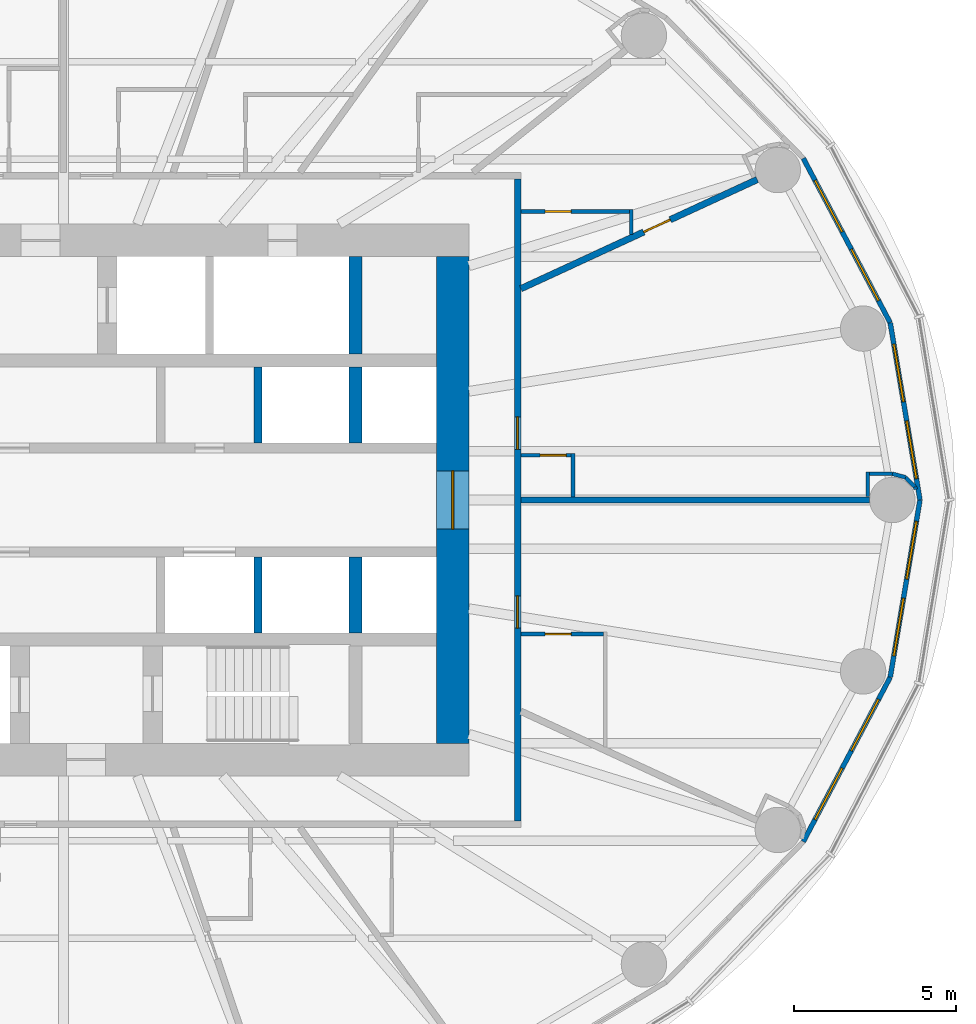
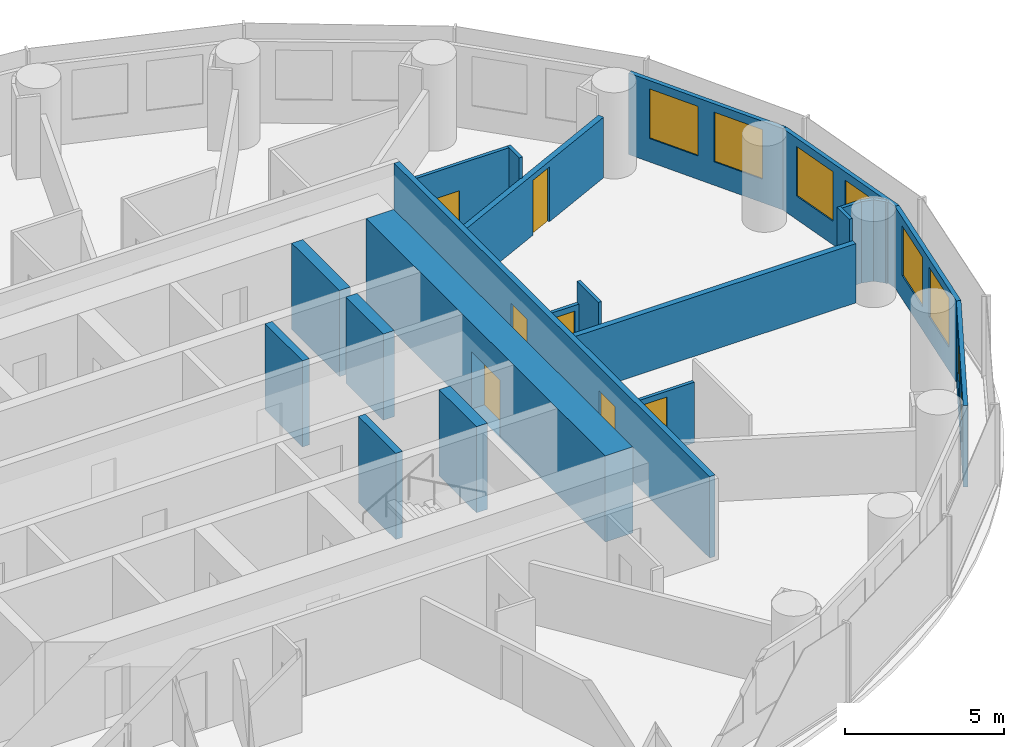
# One storey, part 10 of 13: 23 walls, 8 windows, 7 doors, 15 openings.
"""IFC4 building model written with IfcOpenShell, lengths in metres."""

import ifcopenshell
import ifcopenshell.guid

model = None  # the IFC model being written
_history = None  # IfcOwnerHistory: only IFC2X3 demands one
_inside = {}  # id of a spatial element -> (the spatial element, [elements in it])
_under = {}  # id of a project, library or spatial element -> (it, [spatial elements below it])
_declared = {}  # id of a project -> (the project, [libraries it declares])
_typed = {}  # id of a type object -> (the type object, [elements of that type])
_made_of = {}  # id of a material, layer set ... -> (it, [elements and type objects made of it])


def new_model(schema):
    """Start an empty IFC model of exactly this schema.

    Asked for "IFC4X3", IfcOpenShell would pick the latest addendum, in which some entities
    have other attributes; the version numbers below select the first issue.
    IFC2X3 requires an IfcOwnerHistory on every rooted entity: one is made here for all.
    """
    global model, _history
    if schema == "IFC4X3":
        model = ifcopenshell.file(schema_version=(4, 3, 0, 0))
    else:
        model = ifcopenshell.file(schema=schema)
    _inside.clear()
    _under.clear()
    _declared.clear()
    _typed.clear()
    _made_of.clear()
    _history = None
    if model.schema == "IFC2X3":
        org = make("IfcOrganization", Name="unknown")
        user = make(
            "IfcPersonAndOrganization",
            ThePerson=make("IfcPerson", FamilyName="unknown"),
            TheOrganization=org,
        )
        app = make(
            "IfcApplication",
            ApplicationDeveloper=org,
            Version="unknown",
            ApplicationFullName="unknown",
            ApplicationIdentifier="unknown",
        )
        _history = make(
            "IfcOwnerHistory",
            OwningUser=user,
            OwningApplication=app,
            ChangeAction="ADDED",
            CreationDate=0,
        )
    return model


def make(cls, **values):
    """One entity of the class cls with the attributes given. An attribute that is None is left unset."""
    return model.create_entity(
        cls, **{name: value for name, value in values.items() if value is not None}
    )


def rooted(cls, **values):
    """An entity with a GlobalId (a new one), such as an element, a storey or a relation."""
    return make(cls, GlobalId=ifcopenshell.guid.new(), OwnerHistory=_history, **values)


def si_unit(unit_type, name, prefix=None):
    """IfcSIUnit, for example si_unit("LENGTHUNIT", "METRE", prefix="MILLI")."""
    return make("IfcSIUnit", UnitType=unit_type, Prefix=prefix, Name=name)


def assignment(units):
    """IfcUnitAssignment: the units of a project."""
    return None if units is None else make("IfcUnitAssignment", Units=units)


def point(xyz):
    """IfcCartesianPoint."""
    return None if xyz is None else make("IfcCartesianPoint", Coordinates=xyz)


def direction(xyz):
    """IfcDirection."""
    return None if xyz is None else make("IfcDirection", DirectionRatios=xyz)


def frame(location, z_axis=None, x_axis=None):
    """IfcAxis2Placement3D, a coordinate frame: its origin and axes. An axis left out is left unset."""
    return make(
        "IfcAxis2Placement3D",
        Location=point(location),
        Axis=direction(z_axis),
        RefDirection=direction(x_axis),
    )


def frame_2d(location, x_axis=None):
    """IfcAxis2Placement2D, a coordinate frame in the plane: its origin and x axis."""
    return make(
        "IfcAxis2Placement2D", Location=point(location), RefDirection=direction(x_axis)
    )


def origin():
    """The frame at (0, 0, 0) with its axes left unset."""
    return frame((0.0, 0.0, 0.0))


def place(relative_to, where):
    """IfcLocalPlacement: puts the frame where relative to a parent placement (None: the world)."""
    return make(
        "IfcLocalPlacement", PlacementRelTo=relative_to, RelativePlacement=where
    )


def context(
    kind, dimensions, precision=None, world=None, true_north=None, identifier=None
):
    """IfcGeometricRepresentationContext, for example the 3D "Model" context."""
    return make(
        "IfcGeometricRepresentationContext",
        ContextIdentifier=identifier,
        ContextType=kind,
        CoordinateSpaceDimension=dimensions,
        Precision=precision,
        WorldCoordinateSystem=world,
        TrueNorth=true_north,
    )


def subcontext(parent, identifier, kind, view, scale=None):
    """IfcGeometricRepresentationSubContext, for example "Body" below "Model"."""
    return make(
        "IfcGeometricRepresentationSubContext",
        ContextIdentifier=identifier,
        ContextType=kind,
        ParentContext=parent,
        TargetScale=scale,
        TargetView=view,
    )


def project(units=None, contexts=None):
    """IfcProject with its units and contexts."""
    return rooted(
        "IfcProject",
        Name="project",
        RepresentationContexts=contexts,
        UnitsInContext=assignment(units),
    )


def spatial(cls, under=None, at=None, **own):
    """A site, building, storey or space (cls), placed at a placement, below another one or the project."""
    s = rooted(cls, ObjectPlacement=at, **own)
    if under is not None:
        _under.setdefault(under.id(), (under, []))[1].append(s)
    return s


def profile(cls, at=None, kind="AREA", **sizes):
    """A parametric profile (cls). Its sizes go by their IFC names, for example OverallWidth=200.0."""
    return make(cls, ProfileType=kind, Position=at, **sizes)


def rectangle(**sizes):
    """IfcRectangleProfileDef."""
    return profile("IfcRectangleProfileDef", **sizes)


def extrude(swept, where, along, depth):
    """IfcExtrudedAreaSolid: the profile swept, set in the frame where, extruded along a direction by depth."""
    return make(
        "IfcExtrudedAreaSolid",
        SweptArea=swept,
        Position=where,
        ExtrudedDirection=direction(along),
        Depth=depth,
    )


def shape(context_of_items, identifier, shape_type, items):
    """IfcShapeRepresentation: the items that make up one representation, for example the "Body"."""
    return make(
        "IfcShapeRepresentation",
        ContextOfItems=context_of_items,
        RepresentationIdentifier=identifier,
        RepresentationType=shape_type,
        Items=items,
    )


def material(Name=None, Category=None):
    """IfcMaterial."""
    return make("IfcMaterial", Name=Name, Category=Category)


def layer(
    of_material, thickness, ventilated=None, Name=None, Category=None, Priority=None
):
    """IfcMaterialLayer: one layer of a wall or slab, of a material (None: an air gap)."""
    return make(
        "IfcMaterialLayer",
        Material=of_material,
        LayerThickness=thickness,
        IsVentilated=ventilated,
        Name=Name,
        Category=Category,
        Priority=Priority,
    )


def layer_set(layers, Name=None):
    """IfcMaterialLayerSet."""
    return make("IfcMaterialLayerSet", MaterialLayers=layers, LayerSetName=Name)


def made_of(thing, what):
    """Note that an element or type object is made of a material, layer set ...; save() writes the relation."""
    if what is not None:
        _made_of.setdefault(what.id(), (what, []))[1].append(thing)
    return thing


def type_object(cls, material=None, **own):
    """A type object (cls), such as IfcWallType, which elements share."""
    return made_of(rooted(cls, **own), material)


def element(
    cls,
    number,
    at=None,
    inside=None,
    cuts=None,
    type_object=None,
    material=None,
    context=None,
    identifier="Body",
    shape_type=None,
    held_by="IfcProductDefinitionShape",
    body=None,
    shapes=None,
    **own,
):
    """One element of the class cls, such as IfcWall. Its Tag is "e" and its number.

    at: its placement. inside: the storey or other place that contains it. cuts: it is an
    opening in that element (IfcRelVoidsElement). A single representation is given by context,
    identifier, shape_type and body (its items); several are given by shapes. held_by: the class
    of the entity that holds the representations. save() writes the other relations.
    """
    e = rooted(cls, Tag="e%d" % number, ObjectPlacement=at, **own)
    if body is not None:
        shapes = [shape(context, identifier, shape_type, body)]
    if shapes is not None:
        e.Representation = make(held_by, Representations=shapes)
    if inside is not None:
        _inside.setdefault(inside.id(), (inside, []))[1].append(e)
    if cuts is not None:
        rooted(
            "IfcRelVoidsElement", RelatingBuildingElement=cuts, RelatedOpeningElement=e
        )
    if type_object is not None:
        _typed.setdefault(type_object.id(), (type_object, []))[1].append(e)
    return made_of(e, material)


def fill(opening, filler):
    """IfcRelFillsElement: the door or window that sits in an opening."""
    return rooted(
        "IfcRelFillsElement",
        RelatingOpeningElement=opening,
        RelatedBuildingElement=filler,
    )


def aggregate(whole, parts):
    """IfcRelAggregates: a whole, such as a stair, and the parts it consists of."""
    return rooted("IfcRelAggregates", RelatingObject=whole, RelatedObjects=parts)


def save(model, path):
    """Write the relations noted so far, then the file.

    IfcRelAggregates (storeys below a building ...), IfcRelContainedInSpatialStructure (elements
    in a storey), IfcRelDefinesByType, IfcRelAssociatesMaterial and IfcRelDeclares: one each for
    every whole, place, type object, material and project.
    """
    for whole, parts in _under.values():
        aggregate(whole, parts)
    for where, things in _inside.values():
        rooted(
            "IfcRelContainedInSpatialStructure",
            RelatedElements=things,
            RelatingStructure=where,
        )
    for kind, things in _typed.values():
        rooted("IfcRelDefinesByType", RelatedObjects=things, RelatingType=kind)
    for what, things in _made_of.values():
        rooted("IfcRelAssociatesMaterial", RelatedObjects=things, RelatingMaterial=what)
    for by, libraries in _declared.values():
        rooted("IfcRelDeclares", RelatingContext=by, RelatedDefinitions=libraries)
    model.write(path)


model = new_model("IFC4")

# Units and contexts
model_context = context("Model", 3, precision=1e-05, world=origin(), true_north=direction((0.0, 1.0)))
body_context = subcontext(model_context, "Body", "Model", "MODEL_VIEW")
ifc_project = project(units=[si_unit("LENGTHUNIT", "METRE"), si_unit("AREAUNIT", "SQUARE_METRE"), si_unit("VOLUMEUNIT", "CUBIC_METRE"), si_unit("PLANEANGLEUNIT", "RADIAN"), si_unit("MASSUNIT", "GRAM", prefix="KILO")], contexts=[model_context])

# Site, building, storey
site_placement = place(None, origin())
site = spatial("IfcSite", under=ifc_project, at=site_placement, CompositionType="ELEMENT")
building_placement = place(site_placement, origin())
building = spatial("IfcBuilding", under=site, at=building_placement, Name="Hankou Lantern Tower", CompositionType="ELEMENT")
storey_placement = place(building_placement, frame((0.0, 0.0, 83.699951171875)))
storey = spatial("IfcBuildingStorey", under=building, at=storey_placement, Name="L21", CompositionType="ELEMENT", Elevation=83.699951171875)

# Wall, opening, door
ifc_material_1 = material(Name="Concrete C60", Category="concrete")
ifc_layer_1 = layer(ifc_material_1, 1.0)
ifc_layer_set_1 = layer_set([ifc_layer_1], Name="Concrete C60")
wall_type_1 = type_object("IfcWallType", Name="CW1 CORE WALL 1000", PredefinedType="SHEAR", material=ifc_layer_set_1)
wall_1_placement = place(storey_placement, frame((12.0, -7.5, 0.0), z_axis=(0.0, 0.0, 1.0), x_axis=(0.0, 1.0, 0.0)))
wall_1 = element("IfcWall", 1, at=wall_1_placement, inside=storey, type_object=wall_type_1, Name="Core wall east L21", PredefinedType="SHEAR", context=body_context, shape_type="SweptSolid", body=[
    extrude(rectangle(XDim=15.0, YDim=1.0, at=frame_2d((7.5, 0.0))), origin(), (0.0, 0.0, 1.0), 3.300048828125),
])
opening_1_placement = place(wall_1_placement, frame((6.60009765625, 0.0, 0.0)))
opening_1 = element("IfcOpeningElement", 2, at=opening_1_placement, cuts=wall_1, Name="Opening D6", PredefinedType="OPENING", context=body_context, shape_type="SweptSolid", body=[
    extrude(rectangle(XDim=1.800048828125, YDim=2.199951171875, at=frame_2d((0.89990234375, 1.10009765625))), frame((0.0, 0.510009765625, 0.0), z_axis=(0.0, -1.0, 0.0), x_axis=(1.0, 0.0, 0.0)), (0.0, 0.0, 1.0), 1.02001953125),
])
ifc_material_2 = material(Name="Steel door leaf", Category="steel")
door_type_1 = type_object("IfcDoorType", Name="D6 LIFT LOBBY DOOR 1800X2200", OperationType="DOUBLE_DOOR_DOUBLE_SWING", PredefinedType="DOOR", material=ifc_material_2)
door_1_placement = place(opening_1_placement, origin())
door_1 = element("IfcDoor", 3, at=door_1_placement, inside=storey, type_object=door_type_1, Name="Lift lobby east door", OperationType="DOUBLE_DOOR_DOUBLE_SWING", OverallHeight=2.199951171875, OverallWidth=1.800048828125, PredefinedType="DOOR", context=body_context, shape_type="SweptSolid", body=[
    extrude(rectangle(XDim=1.800048828125, YDim=2.199951171875, at=frame_2d((0.89990234375, 1.10009765625))), frame((0.0, 0.02490234375, 0.0), z_axis=(0.0, -1.0, 0.0), x_axis=(1.0, 0.0, 0.0)), (0.0, 0.0, 1.0), 0.050048828125),
])
fill(opening_1, door_1)

# Walls
ifc_material_3 = material(Name="Concrete C60", Category="concrete")
ifc_layer_2 = layer(ifc_material_3, 0.39990234375)
ifc_layer_set_2 = layer_set([ifc_layer_2], Name="Concrete C60")
wall_type_2 = type_object("IfcWallType", Name="CW4 CORE CROSS WALL 400", PredefinedType="SHEAR", material=ifc_layer_set_2)
wall_2_placement = place(storey_placement, frame((9.0, 4.5, 0.0), z_axis=(0.0, 0.0, 1.0), x_axis=(0.0, 1.0, 0.0)))
element("IfcWall", 4, at=wall_2_placement, inside=storey, type_object=wall_type_2, Name="Core strip wall L21", PredefinedType="SHEAR", context=body_context, shape_type="SweptSolid", body=[
    extrude(rectangle(XDim=3.0, YDim=0.39990234375, at=frame_2d((1.5, 0.0))), origin(), (0.0, 0.0, 1.0), 3.300048828125),
])
for number, where, z_axis, x_axis, name in (
    (5, (9.0, 1.75, 0.0), (0.0, 0.0, 1.0), (0.0, 1.0, 0.0), "Core strip wall L21"),
    (6, (9.0, -4.10009765625, 0.0), (0.0, 0.0, 1.0), (0.0, 1.0, 0.0), "Core strip wall L21"),
):
    element("IfcWall", number, at=place(storey_placement, frame(where, z_axis=z_axis, x_axis=x_axis)), inside=storey, type_object=wall_type_2, Name=name, PredefinedType="SHEAR", context=body_context, shape_type="SweptSolid", body=[
        extrude(rectangle(XDim=2.35009765625, YDim=0.39990234375, at=frame_2d((1.175048828125, 0.0))), origin(), (0.0, 0.0, 1.0), 3.300048828125),
    ])

# Wall, openings, windows
ifc_material_4 = material(Name="Aluminium spandrel panel on steel studs", Category="steel")
ifc_layer_3 = layer(ifc_material_4, 0.14990234375)
ifc_layer_set_3 = layer_set([ifc_layer_3], Name="Aluminium spandrel panel on steel studs")
wall_type_3 = type_object("IfcWallType", Name="EW1 INNER SKIN WALL 150", PredefinedType="ELEMENTEDWALL", material=ifc_layer_set_3)
wall_3_placement = place(storey_placement, frame((26.39990234375, 0.0, 0.0), z_axis=(0.0, 0.0, 1.0), x_axis=(-0.165642551694, 0.986185857264, 0.0)))
wall_3 = element("IfcWall", 7, at=wall_3_placement, inside=storey, type_object=wall_type_3, Name="Inner skin R01-R02 L21", PredefinedType="ELEMENTEDWALL", context=body_context, shape_type="SweptSolid", body=[
    extrude(rectangle(XDim=5.538818359375, YDim=0.14990234375, at=frame_2d((2.76953125, 0.0))), origin(), (0.0, 0.0, 1.0), 3.1201171875),
])
opening_2_placement = place(wall_3_placement, frame((0.66943359375, 0.0, 0.89990234375)))
opening_2 = element("IfcOpeningElement", 8, at=opening_2_placement, cuts=wall_3, Name="Opening W1", PredefinedType="OPENING", context=body_context, shape_type="SweptSolid", body=[
    extrude(rectangle(XDim=1.800048828125, YDim=1.89990234375, at=frame_2d((0.89990234375, 0.949951171875))), frame((0.0, 0.0849609375, 0.0), z_axis=(0.0, -1.0, 0.0), x_axis=(1.0, 0.0, 0.0)), (0.0, 0.0, 1.0), 0.169921875),
])
opening_3_placement = place(wall_3_placement, frame((3.069580078125, 0.0, 0.89990234375)))
opening_3 = element("IfcOpeningElement", 9, at=opening_3_placement, cuts=wall_3, Name="Opening W1", PredefinedType="OPENING", context=body_context, shape_type="SweptSolid", body=[
    extrude(rectangle(XDim=1.800048828125, YDim=1.89990234375, at=frame_2d((0.89990234375, 0.949951171875))), frame((0.0, 0.0849609375, 0.0), z_axis=(0.0, -1.0, 0.0), x_axis=(1.0, 0.0, 0.0)), (0.0, 0.0, 1.0), 0.169921875),
])
ifc_material_5 = material(Name="Aluminium framed double glazed window", Category="aluminium")
window_type = type_object("IfcWindowType", Name="W1 GUEST ROOM WINDOW 1800X1900", PartitioningType="DOUBLE_PANEL_VERTICAL", PredefinedType="WINDOW", material=ifc_material_5)
window_1_placement = place(opening_2_placement, origin())
window_1 = element("IfcWindow", 10, at=window_1_placement, inside=storey, type_object=window_type, Name="Window R01.1 L21", OverallHeight=1.89990234375, OverallWidth=1.800048828125, PartitioningType="SINGLE_PANEL", PredefinedType="WINDOW", context=body_context, shape_type="SweptSolid", body=[
    extrude(rectangle(XDim=1.800048828125, YDim=1.89990234375, at=frame_2d((0.89990234375, 0.949951171875))), frame((0.0, 0.030029296875, 0.0), z_axis=(0.0, -1.0, 0.0), x_axis=(1.0, 0.0, 0.0)), (0.0, 0.0, 1.0), 0.06005859375),
])
fill(opening_2, window_1)
window_2_placement = place(opening_3_placement, origin())
window_2 = element("IfcWindow", 11, at=window_2_placement, inside=storey, type_object=window_type, Name="Window R01.2 L21", OverallHeight=1.89990234375, OverallWidth=1.800048828125, PartitioningType="SINGLE_PANEL", PredefinedType="WINDOW", context=body_context, shape_type="SweptSolid", body=[
    extrude(rectangle(XDim=1.800048828125, YDim=1.89990234375, at=frame_2d((0.89990234375, 0.949951171875))), frame((0.0, 0.030029296875, 0.0), z_axis=(0.0, -1.0, 0.0), x_axis=(1.0, 0.0, 0.0)), (0.0, 0.0, 1.0), 0.06005859375),
])
fill(opening_3, window_2)

wall_4_placement = place(storey_placement, frame((25.482421875, 5.46240234375, 0.0), z_axis=(0.0, 0.0, 1.0), x_axis=(-0.467296867008, 0.884100468321, 0.0)))
wall_4 = element("IfcWall", 12, at=wall_4_placement, inside=storey, type_object=wall_type_3, Name="Inner skin R02-R03 L21", PredefinedType="ELEMENTEDWALL", context=body_context, shape_type="SweptSolid", body=[
    extrude(rectangle(XDim=5.734375, YDim=0.14990234375, at=frame_2d((2.8671875, 0.0))), origin(), (0.0, 0.0, 1.0), 3.1201171875),
])
opening_4_placement = place(wall_4_placement, frame((0.76708984375, 0.0, 0.89990234375)))
opening_4 = element("IfcOpeningElement", 13, at=opening_4_placement, cuts=wall_4, Name="Opening W1", PredefinedType="OPENING", context=body_context, shape_type="SweptSolid", body=[
    extrude(rectangle(XDim=1.800048828125, YDim=1.89990234375, at=frame_2d((0.89990234375, 0.949951171875))), frame((0.0, 0.0849609375, 0.0), z_axis=(0.0, -1.0, 0.0), x_axis=(1.0, 0.0, 0.0)), (0.0, 0.0, 1.0), 0.169921875),
])
opening_5_placement = place(wall_4_placement, frame((3.167236328125, 0.0, 0.89990234375)))
opening_5 = element("IfcOpeningElement", 14, at=opening_5_placement, cuts=wall_4, Name="Opening W1", PredefinedType="OPENING", context=body_context, shape_type="SweptSolid", body=[
    extrude(rectangle(XDim=1.800048828125, YDim=1.89990234375, at=frame_2d((0.89990234375, 0.949951171875))), frame((0.0, 0.0849609375, 0.0), z_axis=(0.0, -1.0, 0.0), x_axis=(1.0, 0.0, 0.0)), (0.0, 0.0, 1.0), 0.169921875),
])
window_3_placement = place(opening_4_placement, origin())
window_3 = element("IfcWindow", 15, at=window_3_placement, inside=storey, type_object=window_type, Name="Window R02.1 L21", OverallHeight=1.89990234375, OverallWidth=1.800048828125, PartitioningType="SINGLE_PANEL", PredefinedType="WINDOW", context=body_context, shape_type="SweptSolid", body=[
    extrude(rectangle(XDim=1.800048828125, YDim=1.89990234375, at=frame_2d((0.89990234375, 0.949951171875))), frame((0.0, 0.030029296875, 0.0), z_axis=(0.0, -1.0, 0.0), x_axis=(1.0, 0.0, 0.0)), (0.0, 0.0, 1.0), 0.06005859375),
])
fill(opening_4, window_3)
window_4_placement = place(opening_5_placement, origin())
window_4 = element("IfcWindow", 16, at=window_4_placement, inside=storey, type_object=window_type, Name="Window R02.2 L21", OverallHeight=1.89990234375, OverallWidth=1.800048828125, PartitioningType="SINGLE_PANEL", PredefinedType="WINDOW", context=body_context, shape_type="SweptSolid", body=[
    extrude(rectangle(XDim=1.800048828125, YDim=1.89990234375, at=frame_2d((0.89990234375, 0.949951171875))), frame((0.0, 0.030029296875, 0.0), z_axis=(0.0, -1.0, 0.0), x_axis=(1.0, 0.0, 0.0)), (0.0, 0.0, 1.0), 0.06005859375),
])
fill(opening_5, window_4)

wall_5_placement = place(storey_placement, frame((22.802734375, -10.5322265625, 0.0), z_axis=(0.0, 0.0, 1.0), x_axis=(0.467296867008, 0.884100468321, 0.0)))
wall_5 = element("IfcWall", 17, at=wall_5_placement, inside=storey, type_object=wall_type_3, Name="Inner skin R23-R24 L21", PredefinedType="ELEMENTEDWALL", context=body_context, shape_type="SweptSolid", body=[
    extrude(rectangle(XDim=5.734375, YDim=0.14990234375, at=frame_2d((2.8671875, 0.0))), origin(), (0.0, 0.0, 1.0), 3.1201171875),
])
opening_6_placement = place(wall_5_placement, frame((0.76708984375, 0.0, 0.89990234375)))
opening_6 = element("IfcOpeningElement", 18, at=opening_6_placement, cuts=wall_5, Name="Opening W1", PredefinedType="OPENING", context=body_context, shape_type="SweptSolid", body=[
    extrude(rectangle(XDim=1.800048828125, YDim=1.89990234375, at=frame_2d((0.89990234375, 0.949951171875))), frame((0.0, 0.0849609375, 0.0), z_axis=(0.0, -1.0, 0.0), x_axis=(1.0, 0.0, 0.0)), (0.0, 0.0, 1.0), 0.169921875),
])
opening_7_placement = place(wall_5_placement, frame((3.167236328125, 0.0, 0.89990234375)))
opening_7 = element("IfcOpeningElement", 19, at=opening_7_placement, cuts=wall_5, Name="Opening W1", PredefinedType="OPENING", context=body_context, shape_type="SweptSolid", body=[
    extrude(rectangle(XDim=1.800048828125, YDim=1.89990234375, at=frame_2d((0.89990234375, 0.949951171875))), frame((0.0, 0.0849609375, 0.0), z_axis=(0.0, -1.0, 0.0), x_axis=(1.0, 0.0, 0.0)), (0.0, 0.0, 1.0), 0.169921875),
])
window_5_placement = place(opening_6_placement, origin())
window_5 = element("IfcWindow", 20, at=window_5_placement, inside=storey, type_object=window_type, Name="Window R23.1 L21", OverallHeight=1.89990234375, OverallWidth=1.800048828125, PartitioningType="SINGLE_PANEL", PredefinedType="WINDOW", context=body_context, shape_type="SweptSolid", body=[
    extrude(rectangle(XDim=1.800048828125, YDim=1.89990234375, at=frame_2d((0.89990234375, 0.949951171875))), frame((0.0, 0.030029296875, 0.0), z_axis=(0.0, -1.0, 0.0), x_axis=(1.0, 0.0, 0.0)), (0.0, 0.0, 1.0), 0.06005859375),
])
fill(opening_6, window_5)
window_6_placement = place(opening_7_placement, origin())
window_6 = element("IfcWindow", 21, at=window_6_placement, inside=storey, type_object=window_type, Name="Window R23.2 L21", OverallHeight=1.89990234375, OverallWidth=1.800048828125, PartitioningType="SINGLE_PANEL", PredefinedType="WINDOW", context=body_context, shape_type="SweptSolid", body=[
    extrude(rectangle(XDim=1.800048828125, YDim=1.89990234375, at=frame_2d((0.89990234375, 0.949951171875))), frame((0.0, 0.030029296875, 0.0), z_axis=(0.0, -1.0, 0.0), x_axis=(1.0, 0.0, 0.0)), (0.0, 0.0, 1.0), 0.06005859375),
])
fill(opening_7, window_6)

wall_6_placement = place(storey_placement, frame((25.482421875, -5.46240234375, 0.0), z_axis=(0.0, 0.0, 1.0), x_axis=(0.165642551694, 0.986185857264, 0.0)))
wall_6 = element("IfcWall", 22, at=wall_6_placement, inside=storey, type_object=wall_type_3, Name="Inner skin R24-R01 L21", PredefinedType="ELEMENTEDWALL", context=body_context, shape_type="SweptSolid", body=[
    extrude(rectangle(XDim=5.538818359375, YDim=0.14990234375, at=frame_2d((2.76953125, 0.0))), origin(), (0.0, 0.0, 1.0), 3.1201171875),
])
opening_8_placement = place(wall_6_placement, frame((0.66943359375, 0.0, 0.89990234375)))
opening_8 = element("IfcOpeningElement", 23, at=opening_8_placement, cuts=wall_6, Name="Opening W1", PredefinedType="OPENING", context=body_context, shape_type="SweptSolid", body=[
    extrude(rectangle(XDim=1.800048828125, YDim=1.89990234375, at=frame_2d((0.89990234375, 0.949951171875))), frame((0.0, 0.0849609375, 0.0), z_axis=(0.0, -1.0, 0.0), x_axis=(1.0, 0.0, 0.0)), (0.0, 0.0, 1.0), 0.169921875),
])
opening_9_placement = place(wall_6_placement, frame((3.069580078125, 0.0, 0.89990234375)))
opening_9 = element("IfcOpeningElement", 24, at=opening_9_placement, cuts=wall_6, Name="Opening W1", PredefinedType="OPENING", context=body_context, shape_type="SweptSolid", body=[
    extrude(rectangle(XDim=1.800048828125, YDim=1.89990234375, at=frame_2d((0.89990234375, 0.949951171875))), frame((0.0, 0.0849609375, 0.0), z_axis=(0.0, -1.0, 0.0), x_axis=(1.0, 0.0, 0.0)), (0.0, 0.0, 1.0), 0.169921875),
])
window_7_placement = place(opening_8_placement, origin())
window_7 = element("IfcWindow", 25, at=window_7_placement, inside=storey, type_object=window_type, Name="Window R24.1 L21", OverallHeight=1.89990234375, OverallWidth=1.800048828125, PartitioningType="SINGLE_PANEL", PredefinedType="WINDOW", context=body_context, shape_type="SweptSolid", body=[
    extrude(rectangle(XDim=1.800048828125, YDim=1.89990234375, at=frame_2d((0.89990234375, 0.949951171875))), frame((0.0, 0.030029296875, 0.0), z_axis=(0.0, -1.0, 0.0), x_axis=(1.0, 0.0, 0.0)), (0.0, 0.0, 1.0), 0.06005859375),
])
fill(opening_8, window_7)
window_8_placement = place(opening_9_placement, origin())
window_8 = element("IfcWindow", 26, at=window_8_placement, inside=storey, type_object=window_type, Name="Window R24.2 L21", OverallHeight=1.89990234375, OverallWidth=1.800048828125, PartitioningType="SINGLE_PANEL", PredefinedType="WINDOW", context=body_context, shape_type="SweptSolid", body=[
    extrude(rectangle(XDim=1.800048828125, YDim=1.89990234375, at=frame_2d((0.89990234375, 0.949951171875))), frame((0.0, 0.030029296875, 0.0), z_axis=(0.0, -1.0, 0.0), x_axis=(1.0, 0.0, 0.0)), (0.0, 0.0, 1.0), 0.06005859375),
])
fill(opening_9, window_8)

# Wall
ifc_material_6 = material(Name="Masonry lightweight concrete block", Category="masonry")
ifc_layer_4 = layer(ifc_material_6, 0.199951171875)
ifc_layer_set_4 = layer_set([ifc_layer_4], Name="Masonry lightweight concrete block")
wall_type_4 = type_object("IfcWallType", Name="IW1 GUEST ROOM PARTY WALL 200", PredefinedType="PARTITIONING", material=ifc_layer_set_4)
wall_7_placement = place(storey_placement, frame((14.10009765625, 0.0, 0.0), z_axis=(0.0, 0.0, 1.0), x_axis=(1.0, 0.0, 0.0)))
element("IfcWall", 27, at=wall_7_placement, inside=storey, type_object=wall_type_4, Name="Party wall R01", PredefinedType="PARTITIONING", context=body_context, shape_type="SweptSolid", body=[
    extrude(rectangle(XDim=10.75, YDim=0.199951171875, at=frame_2d((5.375, 0.0))), origin(), (0.0, 0.0, 1.0), 2.27001953125),
])

# Wall, openings, doors
ifc_material_7 = material(Name="Masonry lightweight concrete block", Category="masonry")
ifc_layer_5 = layer(ifc_material_7, 0.199951171875)
ifc_layer_set_5 = layer_set([ifc_layer_5], Name="Masonry lightweight concrete block")
wall_type_5 = type_object("IfcWallType", Name="IW2 CORRIDOR WALL 200", PredefinedType="PARTITIONING", material=ifc_layer_set_5)
wall_8_placement = place(storey_placement, frame((14.0, -9.89990234375, 0.0), z_axis=(0.0, 0.0, 1.0), x_axis=(0.0, 1.0, 0.0)))
wall_8 = element("IfcWall", 28, at=wall_8_placement, inside=storey, type_object=wall_type_5, Name="Corridor wall east", PredefinedType="PARTITIONING", context=body_context, shape_type="SweptSolid", body=[
    extrude(rectangle(XDim=19.7998046875, YDim=0.199951171875, at=frame_2d((9.89990234375, 0.0))), origin(), (0.0, 0.0, 1.0), 3.1201171875),
])
opening_10_placement = place(wall_8_placement, frame((5.947509765625, 0.0, 0.0)))
opening_10 = element("IfcOpeningElement", 29, at=opening_10_placement, cuts=wall_8, Name="Opening D2", PredefinedType="OPENING", context=body_context, shape_type="SweptSolid", body=[
    extrude(rectangle(XDim=1.0, YDim=2.199951171875, at=frame_2d((0.5, 1.10009765625))), frame((0.0, 0.10986328125, 0.0), z_axis=(0.0, -1.0, 0.0), x_axis=(1.0, 0.0, 0.0)), (0.0, 0.0, 1.0), 0.219970703125),
])
opening_11_placement = place(wall_8_placement, frame((11.4599609375, 0.0, 0.0)))
opening_11 = element("IfcOpeningElement", 30, at=opening_11_placement, cuts=wall_8, Name="Opening D2", PredefinedType="OPENING", context=body_context, shape_type="SweptSolid", body=[
    extrude(rectangle(XDim=1.0, YDim=2.199951171875, at=frame_2d((0.5, 1.10009765625))), frame((0.0, 0.10986328125, 0.0), z_axis=(0.0, -1.0, 0.0), x_axis=(1.0, 0.0, 0.0)), (0.0, 0.0, 1.0), 0.219970703125),
])
ifc_material_8 = material(Name="Steel door leaf", Category="steel")
door_type_2 = type_object("IfcDoorType", Name="D2 SUITE DOOR 1000X2200", OperationType="SINGLE_SWING_LEFT", PredefinedType="DOOR", material=ifc_material_8)
door_2_placement = place(opening_10_placement, origin())
door_2 = element("IfcDoor", 31, at=door_2_placement, inside=storey, type_object=door_type_2, Name="Suite door 2109", OperationType="SINGLE_SWING_LEFT", OverallHeight=2.199951171875, OverallWidth=1.0, PredefinedType="DOOR", context=body_context, shape_type="SweptSolid", body=[
    extrude(rectangle(XDim=1.0, YDim=2.199951171875, at=frame_2d((0.5, 1.10009765625))), frame((0.0, 0.02490234375, 0.0), z_axis=(0.0, -1.0, 0.0), x_axis=(1.0, 0.0, 0.0)), (0.0, 0.0, 1.0), 0.050048828125),
])
fill(opening_10, door_2)
door_3_placement = place(opening_11_placement, origin())
door_3 = element("IfcDoor", 32, at=door_3_placement, inside=storey, type_object=door_type_2, Name="Suite door 2110C", OperationType="SINGLE_SWING_RIGHT", OverallHeight=2.199951171875, OverallWidth=1.0, PredefinedType="DOOR", context=body_context, shape_type="SweptSolid", body=[
    extrude(rectangle(XDim=1.0, YDim=2.199951171875, at=frame_2d((0.5, 1.10009765625))), frame((0.0, 0.02490234375, 0.0), z_axis=(0.0, -1.0, 0.0), x_axis=(1.0, 0.0, 0.0)), (0.0, 0.0, 1.0), 0.050048828125),
])
fill(opening_11, door_3)

# Wall, opening, door
ifc_material_9 = material(Name="Masonry lightweight concrete block", Category="masonry")
ifc_layer_6 = layer(ifc_material_9, 0.1201171875)
ifc_layer_set_6 = layer_set([ifc_layer_6], Name="Masonry lightweight concrete block")
wall_type_6 = type_object("IfcWallType", Name="IW3 BATHROOM WALL 120", PredefinedType="PARTITIONING", material=ifc_layer_set_6)
wall_9_placement = place(storey_placement, frame((14.10009765625, -4.132568359375, 0.0), z_axis=(0.0, 0.0, 1.0), x_axis=(1.0, 0.0, 0.0)))
wall_9 = element("IfcWall", 33, at=wall_9_placement, inside=storey, type_object=wall_type_6, Name="Box wall 2109 1", PredefinedType="PARTITIONING", context=body_context, shape_type="SweptSolid", body=[
    extrude(rectangle(XDim=2.539794921875, YDim=0.1201171875, at=frame_2d((1.27001953125, 0.0))), origin(), (0.0, 0.0, 1.0), 2.320068359375),
])
opening_12_placement = place(wall_9_placement, frame((0.75, 0.0, 0.0)))
opening_12 = element("IfcOpeningElement", 34, at=opening_12_placement, cuts=wall_9, Name="Opening D3", PredefinedType="OPENING", context=body_context, shape_type="SweptSolid", body=[
    extrude(rectangle(XDim=0.800048828125, YDim=2.10009765625, at=frame_2d((0.39990234375, 1.050048828125))), frame((0.0, 0.070068359375, 0.0), z_axis=(0.0, -1.0, 0.0), x_axis=(1.0, 0.0, 0.0)), (0.0, 0.0, 1.0), 0.14013671875),
])
ifc_material_10 = material(Name="Timber door leaf", Category="wood")
door_type_3 = type_object("IfcDoorType", Name="D3 BATHROOM DOOR 800X2100", OperationType="SINGLE_SWING_LEFT", PredefinedType="DOOR", material=ifc_material_10)
door_4_placement = place(opening_12_placement, origin())
door_4 = element("IfcDoor", 35, at=door_4_placement, inside=storey, type_object=door_type_3, Name="Junior suite 2109 bathroom door", OperationType="SINGLE_SWING_LEFT", OverallHeight=2.10009765625, OverallWidth=0.800048828125, PredefinedType="DOOR", context=body_context, shape_type="SweptSolid", body=[
    extrude(rectangle(XDim=0.800048828125, YDim=2.10009765625, at=frame_2d((0.39990234375, 1.050048828125))), frame((0.0, 0.02490234375, 0.0), z_axis=(0.0, -1.0, 0.0), x_axis=(1.0, 0.0, 0.0)), (0.0, 0.0, 1.0), 0.050048828125),
])
fill(opening_12, door_4)

# Wall
wall_10_placement = place(storey_placement, frame((15.699951171875, 0.10009765625, 0.0), z_axis=(0.0, 0.0, 1.0), x_axis=(0.0, 1.0, 0.0)))
element("IfcWall", 36, at=wall_10_placement, inside=storey, type_object=wall_type_6, Name="Box wall 2110C 1", PredefinedType="PARTITIONING", context=body_context, shape_type="SweptSolid", body=[
    extrude(rectangle(XDim=1.33984375, YDim=0.1201171875, at=frame_2d((0.669921875, 0.0))), origin(), (0.0, 0.0, 1.0), 3.1201171875),
])

# Wall, opening, door
wall_11_placement = place(storey_placement, frame((14.10009765625, 1.3798828125, 0.0), z_axis=(0.0, 0.0, 1.0), x_axis=(1.0, 0.0, 0.0)))
wall_11 = element("IfcWall", 37, at=wall_11_placement, inside=storey, type_object=wall_type_6, Name="Box wall 2110C 1", PredefinedType="PARTITIONING", context=body_context, shape_type="SweptSolid", body=[
    extrude(rectangle(XDim=1.539794921875, YDim=0.1201171875, at=frame_2d((0.77001953125, 0.0))), origin(), (0.0, 0.0, 1.0), 2.320068359375),
])
opening_13_placement = place(wall_11_placement, frame((0.590087890625, 0.0, 0.0)))
opening_13 = element("IfcOpeningElement", 38, at=opening_13_placement, cuts=wall_11, Name="Opening D3", PredefinedType="OPENING", context=body_context, shape_type="SweptSolid", body=[
    extrude(rectangle(XDim=0.800048828125, YDim=2.10009765625, at=frame_2d((0.39990234375, 1.050048828125))), frame((0.0, 0.070068359375, 0.0), z_axis=(0.0, -1.0, 0.0), x_axis=(1.0, 0.0, 0.0)), (0.0, 0.0, 1.0), 0.14013671875),
])
door_5_placement = place(opening_13_placement, origin())
door_5 = element("IfcDoor", 39, at=door_5_placement, inside=storey, type_object=door_type_3, Name="Corner suite 2110 guest WC door", OperationType="SINGLE_SWING_LEFT", OverallHeight=2.10009765625, OverallWidth=0.800048828125, PredefinedType="DOOR", context=body_context, shape_type="SweptSolid", body=[
    extrude(rectangle(XDim=0.800048828125, YDim=2.10009765625, at=frame_2d((0.39990234375, 1.050048828125))), frame((0.0, 0.02490234375, 0.0), z_axis=(0.0, -1.0, 0.0), x_axis=(1.0, 0.0, 0.0)), (0.0, 0.0, 1.0), 0.050048828125),
])
fill(opening_13, door_5)

# Wall
wall_12_placement = place(storey_placement, frame((17.5, 8.182861328125, 0.0), z_axis=(0.0, 0.0, 1.0), x_axis=(0.0, 1.0, 0.0)))
element("IfcWall", 40, at=wall_12_placement, inside=storey, type_object=wall_type_6, Name="Box wall 2110A 1", PredefinedType="PARTITIONING", context=body_context, shape_type="SweptSolid", body=[
    extrude(rectangle(XDim=0.76953125, YDim=0.1201171875, at=frame_2d((0.384765625, 0.0))), origin(), (0.0, 0.0, 1.0), 3.1201171875),
])

# Wall, opening, door
wall_13_placement = place(storey_placement, frame((14.10009765625, 8.892578125, 0.0), z_axis=(0.0, 0.0, 1.0), x_axis=(1.0, 0.0, 0.0)))
wall_13 = element("IfcWall", 41, at=wall_13_placement, inside=storey, type_object=wall_type_6, Name="Box wall 2110A 1", PredefinedType="PARTITIONING", context=body_context, shape_type="SweptSolid", body=[
    extrude(rectangle(XDim=3.33984375, YDim=0.1201171875, at=frame_2d((1.669921875, 0.0))), origin(), (0.0, 0.0, 1.0), 3.1201171875),
])
opening_14_placement = place(wall_13_placement, frame((0.75, 0.0, 0.0)))
opening_14 = element("IfcOpeningElement", 42, at=opening_14_placement, cuts=wall_13, Name="Opening D3", PredefinedType="OPENING", context=body_context, shape_type="SweptSolid", body=[
    extrude(rectangle(XDim=0.800048828125, YDim=2.10009765625, at=frame_2d((0.39990234375, 1.050048828125))), frame((0.0, 0.070068359375, 0.0), z_axis=(0.0, -1.0, 0.0), x_axis=(1.0, 0.0, 0.0)), (0.0, 0.0, 1.0), 0.14013671875),
])
door_6_placement = place(opening_14_placement, origin())
door_6 = element("IfcDoor", 43, at=door_6_placement, inside=storey, type_object=door_type_3, Name="Corner suite 2110 bathroom door", OperationType="SINGLE_SWING_LEFT", OverallHeight=2.10009765625, OverallWidth=0.800048828125, PredefinedType="DOOR", context=body_context, shape_type="SweptSolid", body=[
    extrude(rectangle(XDim=0.800048828125, YDim=2.10009765625, at=frame_2d((0.39990234375, 1.050048828125))), frame((0.0, 0.02490234375, 0.0), z_axis=(0.0, -1.0, 0.0), x_axis=(1.0, 0.0, 0.0)), (0.0, 0.0, 1.0), 0.050048828125),
])
fill(opening_14, door_6)

# Walls
ifc_material_11 = material(Name="Masonry lightweight concrete block", Category="masonry")
ifc_layer_7 = layer(ifc_material_11, 0.1201171875)
ifc_layer_set_7 = layer_set([ifc_layer_7], Name="Masonry lightweight concrete block")
wall_type_7 = type_object("IfcWallType", Name="IW4 PARTITION 120", PredefinedType="PARTITIONING", material=ifc_layer_set_7)
wall_14_placement = place(storey_placement, frame((24.7900390625, 0.10009765625, 0.0), z_axis=(0.0, 0.0, 1.0), x_axis=(0.0, 1.0, 0.0)))
element("IfcWall", 44, at=wall_14_placement, inside=storey, type_object=wall_type_7, Name="Column casing R01 return", PredefinedType="PARTITIONING", context=body_context, shape_type="SweptSolid", body=[
    extrude(rectangle(XDim=0.767333984375, YDim=0.1201171875, at=frame_2d((0.3837890625, 0.0))), origin(), (0.0, 0.0, 1.0), 3.1201171875),
])
wall_15_placement = place(storey_placement, frame((24.85009765625, 0.8076171875, 0.0), z_axis=(0.0, 0.0, 1.0), x_axis=(1.0, 0.0, 0.0)))
element("IfcWall", 45, at=wall_15_placement, inside=storey, type_object=wall_type_7, Name="Column casing R01", PredefinedType="PARTITIONING", context=body_context, shape_type="SweptSolid", body=[
    extrude(rectangle(XDim=0.699951171875, YDim=0.1201171875, at=frame_2d((0.35009765625, 0.0))), origin(), (0.0, 0.0, 1.0), 3.1201171875),
])
wall_16_placement = place(storey_placement, frame((25.550048828125, 0.8076171875, 0.0), z_axis=(0.0, 0.0, 1.0), x_axis=(0.965807183573, -0.2592614205, 0.0)))
element("IfcWall", 46, at=wall_16_placement, inside=storey, type_object=wall_type_7, Name="Column casing R01", PredefinedType="PARTITIONING", context=body_context, shape_type="SweptSolid", body=[
    extrude(rectangle(XDim=0.418212890625, YDim=0.1201171875, at=frame_2d((0.208984375, 0.0))), origin(), (0.0, 0.0, 1.0), 3.1201171875),
])
wall_17_placement = place(storey_placement, frame((25.953857421875, 0.69921875, 0.0), z_axis=(0.0, 0.0, 1.0), x_axis=(0.707106781187, -0.707106781187, 0.0)))
element("IfcWall", 47, at=wall_17_placement, inside=storey, type_object=wall_type_7, Name="Column casing R01", PredefinedType="PARTITIONING", context=body_context, shape_type="SweptSolid", body=[
    extrude(rectangle(XDim=0.417724609375, YDim=0.1201171875, at=frame_2d((0.208984375, 0.0))), origin(), (0.0, 0.0, 1.0), 3.1201171875),
])
wall_18_placement = place(storey_placement, frame((26.249267578125, 0.40380859375, 0.0), z_axis=(0.0, 0.0, 1.0), x_axis=(0.259754282609, -0.965674744759, 0.0)))
element("IfcWall", 48, at=wall_18_placement, inside=storey, type_object=wall_type_7, Name="Column casing R01", PredefinedType="PARTITIONING", context=body_context, shape_type="SweptSolid", body=[
    extrude(rectangle(XDim=0.079833984375, YDim=0.1201171875, at=frame_2d((0.0400390625, 0.0))), origin(), (0.0, 0.0, 1.0), 3.1201171875),
])

# Wall, opening, door
ifc_material_12 = material(Name="Masonry lightweight concrete block", Category="masonry")
ifc_layer_8 = layer(ifc_material_12, 0.199951171875)
ifc_layer_set_8 = layer_set([ifc_layer_8], Name="Masonry lightweight concrete block")
wall_type_8 = type_object("IfcWallType", Name="IW6 SUITE PARTITION 200", PredefinedType="PARTITIONING", material=ifc_layer_set_8)
wall_19_placement = place(storey_placement, frame((14.10009765625, 6.512451171875, 0.0), z_axis=(0.0, 0.0, 1.0), x_axis=(0.907832871056, 0.419332181247, 0.0)))
wall_19 = element("IfcWall", 49, at=wall_19_placement, inside=storey, type_object=wall_type_8, Name="Suite partition R03", PredefinedType="PARTITIONING", context=body_context, shape_type="SweptSolid", body=[
    extrude(rectangle(XDim=8.02294921875, YDim=0.199951171875, at=frame_2d((4.011474609375, 0.0))), origin(), (0.0, 0.0, 1.0), 2.320068359375),
])
opening_15_placement = place(wall_19_placement, frame((4.169921875, 0.0, 0.0)))
opening_15 = element("IfcOpeningElement", 50, at=opening_15_placement, cuts=wall_19, Name="Opening D27", PredefinedType="OPENING", context=body_context, shape_type="SweptSolid", body=[
    extrude(rectangle(XDim=0.89990234375, YDim=2.10009765625, at=frame_2d((0.449951171875, 1.050048828125))), frame((0.0, 0.10986328125, 0.0), z_axis=(0.0, -1.0, 0.0), x_axis=(1.0, 0.0, 0.0)), (0.0, 0.0, 1.0), 0.219970703125),
])
ifc_material_13 = material(Name="Timber door leaf", Category="wood")
door_type_4 = type_object("IfcDoorType", Name="D27 INTERNAL DOOR 900X2100", OperationType="SINGLE_SWING_LEFT", PredefinedType="DOOR", material=ifc_material_13)
door_7_placement = place(opening_15_placement, origin())
door_7 = element("IfcDoor", 51, at=door_7_placement, inside=storey, type_object=door_type_4, Name="Corner suite 2110 bedroom door", OperationType="SINGLE_SWING_LEFT", OverallHeight=2.10009765625, OverallWidth=0.89990234375, PredefinedType="DOOR", context=body_context, shape_type="SweptSolid", body=[
    extrude(rectangle(XDim=0.89990234375, YDim=2.10009765625, at=frame_2d((0.449951171875, 1.050048828125))), frame((0.0, 0.02490234375, 0.0), z_axis=(0.0, -1.0, 0.0), x_axis=(1.0, 0.0, 0.0)), (0.0, 0.0, 1.0), 0.050048828125),
])
fill(opening_15, door_7)

# Walls
ifc_material_14 = material(Name="Masonry autoclaved aerated concrete block", Category="masonry")
ifc_layer_9 = layer(ifc_material_14, 0.25)
ifc_layer_set_9 = layer_set([ifc_layer_9], Name="Masonry autoclaved aerated concrete block")
wall_type_9 = type_object("IfcWallType", Name="SW1 SHAFT BLOCK WALL 250", PredefinedType="PARTITIONING", material=ifc_layer_set_9)
for number, where, z_axis, x_axis, name in (
    (52, (6.0, 1.75, 0.0), (0.0, 0.0, 1.0), (0.0, 1.0, 0.0), "Lift shaft wall L21"),
    (53, (6.0, -4.10009765625, 0.0), (0.0, 0.0, 1.0), (0.0, 1.0, 0.0), "Lift shaft wall L21"),
):
    element("IfcWall", number, at=place(storey_placement, frame(where, z_axis=z_axis, x_axis=x_axis)), inside=storey, type_object=wall_type_9, Name=name, PredefinedType="PARTITIONING", context=body_context, shape_type="SweptSolid", body=[
        extrude(rectangle(XDim=2.35009765625, YDim=0.25, at=frame_2d((1.175048828125, 0.0))), origin(), (0.0, 0.0, 1.0), 3.300048828125),
    ])

save(model, "model.ifc")
